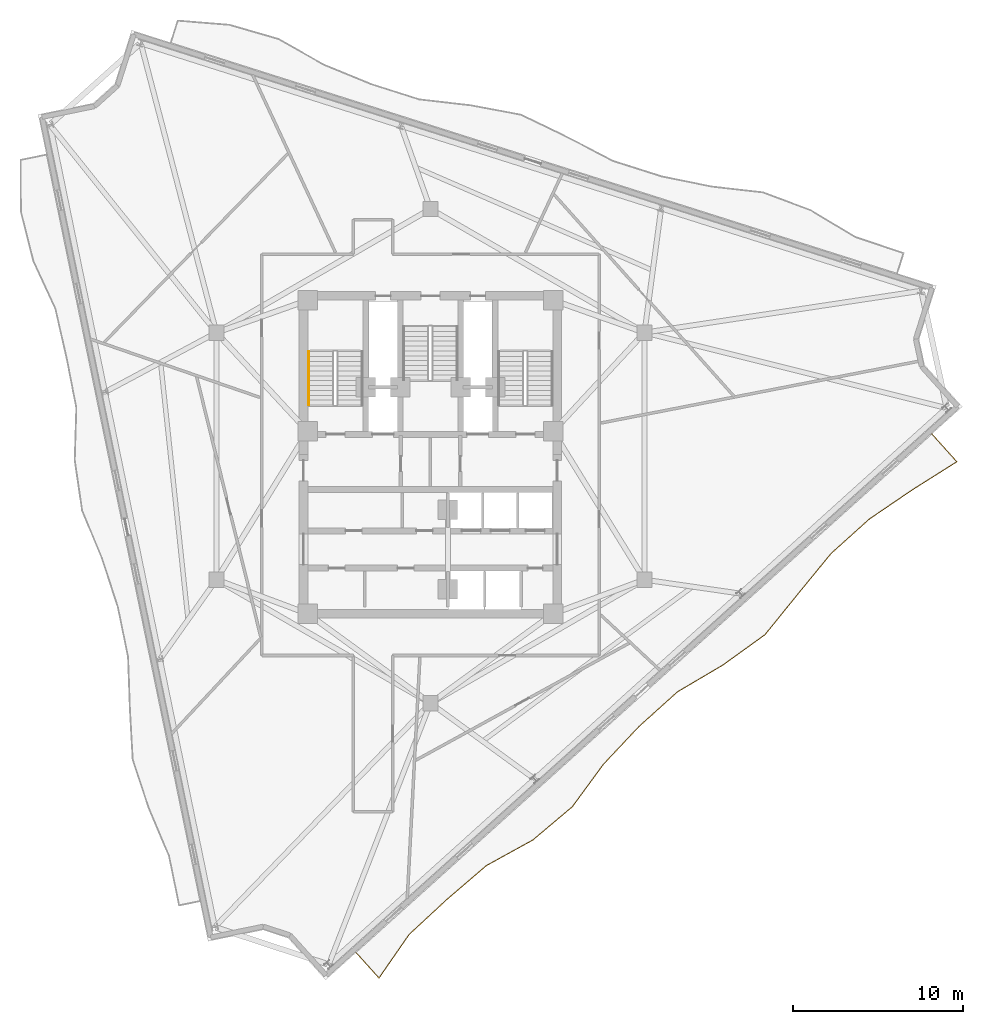
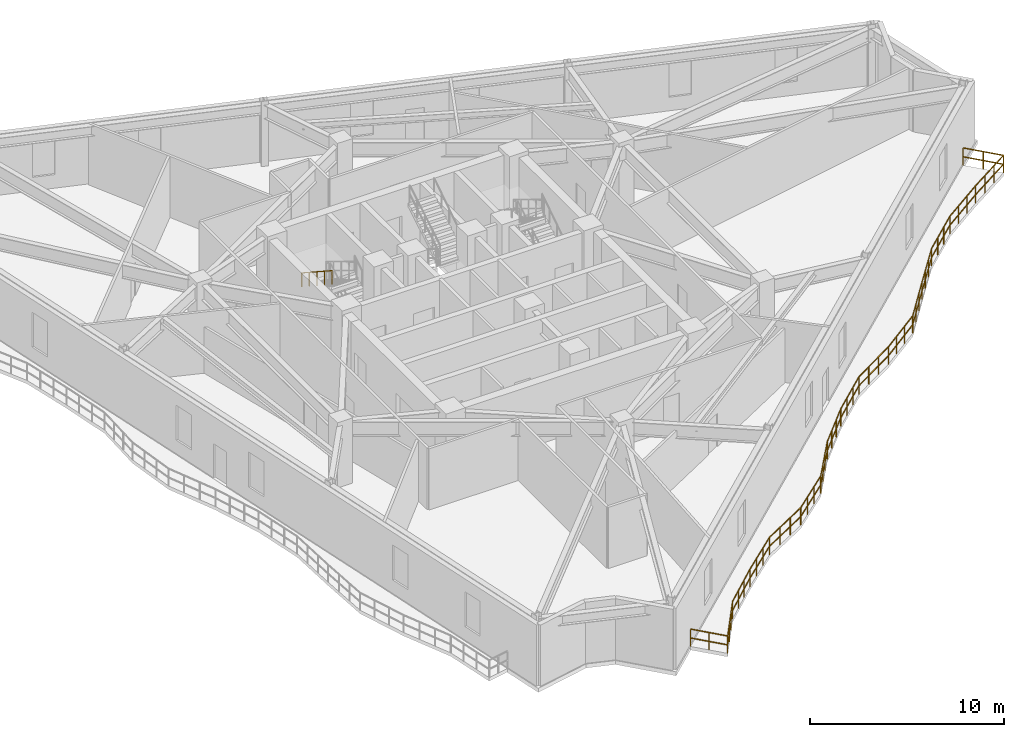
# One storey, part 10 of 12: 2 railings.
"""IFC4 building model written with IfcOpenShell, lengths in metres."""

from ifc_helpers import new_model, si_unit, direction, frame, origin, origin_2d, place, context, subcontext, project, spatial, rectangle, extrude, material, type_object, element, save


model = new_model("IFC4")

# Units and contexts
model_context = context("Model", 3, precision=1e-05, world=origin(), true_north=direction((0.0, 1.0)))
body_context = subcontext(model_context, "Body", "Model", "MODEL_VIEW")
ifc_project = project(units=[si_unit("LENGTHUNIT", "METRE"), si_unit("AREAUNIT", "SQUARE_METRE"), si_unit("VOLUMEUNIT", "CUBIC_METRE"), si_unit("PLANEANGLEUNIT", "RADIAN"), si_unit("MASSUNIT", "GRAM", prefix="KILO")], contexts=[model_context])

# Site, building, storey
site_placement = place(None, origin())
site = spatial("IfcSite", under=ifc_project, at=site_placement, CompositionType="ELEMENT")
building_placement = place(site_placement, origin())
building = spatial("IfcBuilding", under=site, at=building_placement, Name="Apsidion Concourse Tower", CompositionType="ELEMENT")
storey_placement = place(building_placement, frame((0.0, 0.0, 240.39990234375)))
storey = spatial("IfcBuildingStorey", under=building, at=storey_placement, Name="L56", CompositionType="ELEMENT", Elevation=240.39990234375)

# Railings
ifc_material = material(Name="Brushed stainless steel 316", Category="steel")
railing_type_1 = type_object("IfcRailingType", Name="RL-BAL-1120", PredefinedType="BALUSTRADE", material=ifc_material)
railing_1_placement = place(storey_placement, frame((29.43359375, 1.295166015625, 0.0)))
element("IfcRailing", 1, at=railing_1_placement, inside=storey, type_object=railing_type_1, Name="L56 Face 2 Rippling Balcony Balustrade", PredefinedType="BALUSTRADE", context=body_context, shape_type="SweptSolid", body=[
    extrude(rectangle(XDim=0.048095703125, YDim=0.048095703125, at=origin_2d()), frame((0.0, 0.0, 1.09619140625), z_axis=(0.669063430211, -0.743205305655, 0.0), x_axis=(0.743205305655, 0.669063430211, 0.0)), (0.0, 0.0, 1.0), 2.1865234375),
    extrude(rectangle(XDim=0.048095703125, YDim=0.048095703125, at=origin_2d()), frame((0.0, 0.0, 0.5361328125), z_axis=(0.669063430211, -0.743205305655, 0.0), x_axis=(0.743205305655, 0.669063430211, 0.0)), (0.0, 0.0, 1.0), 2.1865234375),
    extrude(rectangle(XDim=0.048095703125, YDim=0.048095703125, at=origin_2d()), frame((1.462890625, -1.625, 1.09619140625), z_axis=(-0.845999528169, -0.533183644102, 0.0), x_axis=(0.533183644102, -0.845999528169, 0.0)), (0.0, 0.0, 1.0), 3.07666015625),
    extrude(rectangle(XDim=0.048095703125, YDim=0.048095703125, at=origin_2d()), frame((1.462890625, -1.625, 0.5361328125), z_axis=(-0.845999528169, -0.533183644102, 0.0), x_axis=(0.533183644102, -0.845999528169, 0.0)), (0.0, 0.0, 1.0), 3.07666015625),
    extrude(rectangle(XDim=0.048095703125, YDim=0.048095703125, at=origin_2d()), frame((-1.139892578125, -3.265380859375, 1.09619140625), z_axis=(-0.826809251161, -0.562482410565, 0.0), x_axis=(0.562482410565, -0.826809251161, 0.0)), (0.0, 0.0, 1.0), 3.06005859375),
    extrude(rectangle(XDim=0.048095703125, YDim=0.048095703125, at=origin_2d()), frame((-1.139892578125, -3.265380859375, 0.5361328125), z_axis=(-0.826809251161, -0.562482410565, 0.0), x_axis=(0.562482410565, -0.826809251161, 0.0)), (0.0, 0.0, 1.0), 3.06005859375),
    extrude(rectangle(XDim=0.048095703125, YDim=0.048095703125, at=origin_2d()), frame((-3.669921875, -4.986572265625, 1.09619140625), z_axis=(-0.743174025693, -0.669098174811, 0.0), x_axis=(0.669098174811, -0.743174025693, 0.0)), (0.0, 0.0, 1.0), 3.0322265625),
    extrude(rectangle(XDim=0.048095703125, YDim=0.048095703125, at=origin_2d()), frame((-3.669921875, -4.986572265625, 0.5361328125), z_axis=(-0.743174025693, -0.669098174811, 0.0), x_axis=(0.669098174811, -0.743174025693, 0.0)), (0.0, 0.0, 1.0), 3.0322265625),
    extrude(rectangle(XDim=0.048095703125, YDim=0.048095703125, at=origin_2d()), frame((-5.92333984375, -7.015380859375, 1.09619140625), z_axis=(-0.633450162207, -0.773783491683, 0.0), x_axis=(0.773783491683, -0.633450162207, 0.0)), (0.0, 0.0, 1.0), 3.067138671875),
    extrude(rectangle(XDim=0.048095703125, YDim=0.048095703125, at=origin_2d()), frame((-5.92333984375, -7.015380859375, 0.5361328125), z_axis=(-0.633450162207, -0.773783491683, 0.0), x_axis=(0.773783491683, -0.633450162207, 0.0)), (0.0, 0.0, 1.0), 3.067138671875),
    extrude(rectangle(XDim=0.048095703125, YDim=0.048095703125, at=origin_2d()), frame((-7.8662109375, -9.388671875, 1.09619140625), z_axis=(-0.629049514697, -0.777365234661, 0.0), x_axis=(0.777365234661, -0.629049514697, 0.0)), (0.0, 0.0, 1.0), 3.070068359375),
    extrude(rectangle(XDim=0.048095703125, YDim=0.048095703125, at=origin_2d()), frame((-7.8662109375, -9.388671875, 0.5361328125), z_axis=(-0.629049514697, -0.777365234661, 0.0), x_axis=(0.777365234661, -0.629049514697, 0.0)), (0.0, 0.0, 1.0), 3.070068359375),
    extrude(rectangle(XDim=0.048095703125, YDim=0.048095703125, at=origin_2d()), frame((-9.79736328125, -11.775146484375, 1.09619140625), z_axis=(-0.811172846512, -0.584806474898, 0.0), x_axis=(0.584806474898, -0.811172846512, 0.0)), (0.0, 0.0, 1.0), 3.050048828125),
    extrude(rectangle(XDim=0.048095703125, YDim=0.048095703125, at=origin_2d()), frame((-9.79736328125, -11.775146484375, 0.5361328125), z_axis=(-0.811172846512, -0.584806474898, 0.0), x_axis=(0.584806474898, -0.811172846512, 0.0)), (0.0, 0.0, 1.0), 3.050048828125),
    extrude(rectangle(XDim=0.048095703125, YDim=0.048095703125, at=origin_2d()), frame((-12.271484375, -13.558837890625, 1.09619140625), z_axis=(-0.861312773279, -0.508075099356, 0.0), x_axis=(0.508075099356, -0.861312773279, 0.0)), (0.0, 0.0, 1.0), 3.093505859375),
    extrude(rectangle(XDim=0.048095703125, YDim=0.048095703125, at=origin_2d()), frame((-12.271484375, -13.558837890625, 0.5361328125), z_axis=(-0.861312773279, -0.508075099356, 0.0), x_axis=(0.508075099356, -0.861312773279, 0.0)), (0.0, 0.0, 1.0), 3.093505859375),
    extrude(rectangle(XDim=0.048095703125, YDim=0.048095703125, at=origin_2d()), frame((-14.93603515625, -15.130615234375, 1.09619140625), z_axis=(-0.743137975508, -0.669138213942, 0.0), x_axis=(0.669138213942, -0.743137975508, 0.0)), (0.0, 0.0, 1.0), 3.031982421875),
    extrude(rectangle(XDim=0.048095703125, YDim=0.048095703125, at=origin_2d()), frame((-14.93603515625, -15.130615234375, 0.5361328125), z_axis=(-0.743137975508, -0.669138213942, 0.0), x_axis=(0.669138213942, -0.743137975508, 0.0)), (0.0, 0.0, 1.0), 3.031982421875),
    extrude(rectangle(XDim=0.048095703125, YDim=0.048095703125, at=origin_2d()), frame((-17.189208984375, -17.159423828125, 1.09619140625), z_axis=(-0.685397239209, -0.728169365248, 0.0), x_axis=(0.728169365248, -0.685397239209, 0.0)), (0.0, 0.0, 1.0), 3.042236328125),
    extrude(rectangle(XDim=0.048095703125, YDim=0.048095703125, at=origin_2d()), frame((-17.189208984375, -17.159423828125, 0.5361328125), z_axis=(-0.685397239209, -0.728169365248, 0.0), x_axis=(0.728169365248, -0.685397239209, 0.0)), (0.0, 0.0, 1.0), 3.042236328125),
    extrude(rectangle(XDim=0.048095703125, YDim=0.048095703125, at=origin_2d()), frame((-19.2744140625, -19.374755859375, 1.09619140625), z_axis=(-0.590830478138, -0.806795727618, 0.0), x_axis=(0.806795727618, -0.590830478138, 0.0)), (0.0, 0.0, 1.0), 3.097412109375),
    extrude(rectangle(XDim=0.048095703125, YDim=0.048095703125, at=origin_2d()), frame((-19.2744140625, -19.374755859375, 0.5361328125), z_axis=(-0.590830478138, -0.806795727618, 0.0), x_axis=(0.806795727618, -0.590830478138, 0.0)), (0.0, 0.0, 1.0), 3.097412109375),
    extrude(rectangle(XDim=0.048095703125, YDim=0.048095703125, at=origin_2d()), frame((-21.1044921875, -21.873779296875, 1.09619140625), z_axis=(-0.765105249951, -0.643905238756, 0.0), x_axis=(0.643905238756, -0.765105249951, 0.0)), (0.0, 0.0, 1.0), 3.03369140625),
    extrude(rectangle(XDim=0.048095703125, YDim=0.048095703125, at=origin_2d()), frame((-21.1044921875, -21.873779296875, 0.5361328125), z_axis=(-0.765105249951, -0.643905238756, 0.0), x_axis=(0.643905238756, -0.765105249951, 0.0)), (0.0, 0.0, 1.0), 3.03369140625),
    extrude(rectangle(XDim=0.048095703125, YDim=0.048095703125, at=origin_2d()), frame((-23.425537109375, -23.8271484375, 1.09619140625), z_axis=(-0.875868016644, -0.482550740772, 0.0), x_axis=(0.482550740772, -0.875868016644, 0.0)), (0.0, 0.0, 1.0), 3.113525390625),
    extrude(rectangle(XDim=0.048095703125, YDim=0.048095703125, at=origin_2d()), frame((-23.425537109375, -23.8271484375, 0.5361328125), z_axis=(-0.875868016644, -0.482550740772, 0.0), x_axis=(0.482550740772, -0.875868016644, 0.0)), (0.0, 0.0, 1.0), 3.113525390625),
    extrude(rectangle(XDim=0.048095703125, YDim=0.048095703125, at=origin_2d()), frame((-26.152587890625, -25.32958984375, 1.09619140625), z_axis=(-0.759239555864, -0.650811260513, 0.0), x_axis=(0.650811260513, -0.759239555864, 0.0)), (0.0, 0.0, 1.0), 3.032958984375),
    extrude(rectangle(XDim=0.048095703125, YDim=0.048095703125, at=origin_2d()), frame((-26.152587890625, -25.32958984375, 0.5361328125), z_axis=(-0.759239555864, -0.650811260513, 0.0), x_axis=(0.650811260513, -0.759239555864, 0.0)), (0.0, 0.0, 1.0), 3.032958984375),
    extrude(rectangle(XDim=0.048095703125, YDim=0.048095703125, at=origin_2d()), frame((-28.455322265625, -27.303466796875, 1.09619140625), z_axis=(-0.733409736013, -0.679786848299, 0.0), x_axis=(0.679786848299, -0.733409736013, 0.0)), (0.0, 0.0, 1.0), 3.0322265625),
    extrude(rectangle(XDim=0.048095703125, YDim=0.048095703125, at=origin_2d()), frame((-28.455322265625, -27.303466796875, 0.5361328125), z_axis=(-0.733409736013, -0.679786848299, 0.0), x_axis=(0.679786848299, -0.733409736013, 0.0)), (0.0, 0.0, 1.0), 3.0322265625),
    extrude(rectangle(XDim=0.048095703125, YDim=0.048095703125, at=origin_2d()), frame((-30.67919921875, -29.36474609375, 1.09619140625), z_axis=(-0.569548148861, -0.821957971024, 0.0), x_axis=(0.821957971024, -0.569548148861, 0.0)), (0.0, 0.0, 1.0), 3.115478515625),
    extrude(rectangle(XDim=0.048095703125, YDim=0.048095703125, at=origin_2d()), frame((-30.67919921875, -29.36474609375, 0.5361328125), z_axis=(-0.569548148861, -0.821957971024, 0.0), x_axis=(0.821957971024, -0.569548148861, 0.0)), (0.0, 0.0, 1.0), 3.115478515625),
    extrude(rectangle(XDim=0.048095703125, YDim=0.048095703125, at=origin_2d()), frame((-32.45361328125, -31.925537109375, 1.09619140625), z_axis=(-0.669078836066, 0.743191436393, 0.0), x_axis=(-0.743191436393, -0.669078836066, 0.0)), (0.0, 0.0, 1.0), 2.009521484375),
    extrude(rectangle(XDim=0.048095703125, YDim=0.048095703125, at=origin_2d()), frame((-32.45361328125, -31.925537109375, 0.5361328125), z_axis=(-0.669078836066, 0.743191436393, 0.0), x_axis=(-0.743191436393, -0.669078836066, 0.0)), (0.0, 0.0, 1.0), 2.009521484375),
    extrude(rectangle(XDim=0.0419921875, YDim=0.0419921875, at=origin_2d()), origin(), (0.0, 0.0, 1.0), 1.072021484375),
    extrude(rectangle(XDim=0.0419921875, YDim=0.0419921875, at=origin_2d()), frame((0.7314453125, -0.8125, 0.0)), (0.0, 0.0, 1.0), 1.072021484375),
    extrude(rectangle(XDim=0.0419921875, YDim=0.0419921875, at=origin_2d()), frame((1.462890625, -1.625, 0.0)), (0.0, 0.0, 1.0), 1.072021484375),
    extrude(rectangle(XDim=0.0419921875, YDim=0.0419921875, at=origin_2d()), frame((0.59521484375, -2.171875, 0.0)), (0.0, 0.0, 1.0), 1.072021484375),
    extrude(rectangle(XDim=0.0419921875, YDim=0.0419921875, at=origin_2d()), frame((-0.272216796875, -2.718505859375, 0.0)), (0.0, 0.0, 1.0), 1.072021484375),
    extrude(rectangle(XDim=0.0419921875, YDim=0.0419921875, at=origin_2d()), frame((-1.139892578125, -3.265380859375, 0.0)), (0.0, 0.0, 1.0), 1.072021484375),
    extrude(rectangle(XDim=0.0419921875, YDim=0.0419921875, at=origin_2d()), frame((-1.983154296875, -3.839111328125, 0.0)), (0.0, 0.0, 1.0), 1.072021484375),
    extrude(rectangle(XDim=0.0419921875, YDim=0.0419921875, at=origin_2d()), frame((-2.82666015625, -4.412841796875, 0.0)), (0.0, 0.0, 1.0), 1.072021484375),
    extrude(rectangle(XDim=0.0419921875, YDim=0.0419921875, at=origin_2d()), frame((-3.669921875, -4.986572265625, 0.0)), (0.0, 0.0, 1.0), 1.072021484375),
    extrude(rectangle(XDim=0.0419921875, YDim=0.0419921875, at=origin_2d()), frame((-4.421142578125, -5.662841796875, 0.0)), (0.0, 0.0, 1.0), 1.072021484375),
    extrude(rectangle(XDim=0.0419921875, YDim=0.0419921875, at=origin_2d()), frame((-5.172119140625, -6.339111328125, 0.0)), (0.0, 0.0, 1.0), 1.072021484375),
    extrude(rectangle(XDim=0.0419921875, YDim=0.0419921875, at=origin_2d()), frame((-5.92333984375, -7.015380859375, 0.0)), (0.0, 0.0, 1.0), 1.072021484375),
    extrude(rectangle(XDim=0.0419921875, YDim=0.0419921875, at=origin_2d()), frame((-6.571044921875, -7.806396484375, 0.0)), (0.0, 0.0, 1.0), 1.072021484375),
    extrude(rectangle(XDim=0.0419921875, YDim=0.0419921875, at=origin_2d()), frame((-7.218505859375, -8.59765625, 0.0)), (0.0, 0.0, 1.0), 1.072021484375),
    extrude(rectangle(XDim=0.0419921875, YDim=0.0419921875, at=origin_2d()), frame((-7.8662109375, -9.388671875, 0.0)), (0.0, 0.0, 1.0), 1.072021484375),
    extrude(rectangle(XDim=0.0419921875, YDim=0.0419921875, at=origin_2d()), frame((-8.510009765625, -10.18408203125, 0.0)), (0.0, 0.0, 1.0), 1.072021484375),
    extrude(rectangle(XDim=0.0419921875, YDim=0.0419921875, at=origin_2d()), frame((-9.153564453125, -10.979736328125, 0.0)), (0.0, 0.0, 1.0), 1.072021484375),
    extrude(rectangle(XDim=0.0419921875, YDim=0.0419921875, at=origin_2d()), frame((-9.79736328125, -11.775146484375, 0.0)), (0.0, 0.0, 1.0), 1.072021484375),
    extrude(rectangle(XDim=0.0419921875, YDim=0.0419921875, at=origin_2d()), frame((-10.6220703125, -12.36962890625, 0.0)), (0.0, 0.0, 1.0), 1.072021484375),
    extrude(rectangle(XDim=0.0419921875, YDim=0.0419921875, at=origin_2d()), frame((-11.44677734375, -12.96435546875, 0.0)), (0.0, 0.0, 1.0), 1.072021484375),
    extrude(rectangle(XDim=0.0419921875, YDim=0.0419921875, at=origin_2d()), frame((-12.271484375, -13.558837890625, 0.0)), (0.0, 0.0, 1.0), 1.072021484375),
    extrude(rectangle(XDim=0.0419921875, YDim=0.0419921875, at=origin_2d()), frame((-13.15966796875, -14.082763671875, 0.0)), (0.0, 0.0, 1.0), 1.072021484375),
    extrude(rectangle(XDim=0.0419921875, YDim=0.0419921875, at=origin_2d()), frame((-14.0478515625, -14.606689453125, 0.0)), (0.0, 0.0, 1.0), 1.072021484375),
    extrude(rectangle(XDim=0.0419921875, YDim=0.0419921875, at=origin_2d()), frame((-14.93603515625, -15.130615234375, 0.0)), (0.0, 0.0, 1.0), 1.072021484375),
    extrude(rectangle(XDim=0.0419921875, YDim=0.0419921875, at=origin_2d()), frame((-15.68701171875, -15.806884765625, 0.0)), (0.0, 0.0, 1.0), 1.072021484375),
    extrude(rectangle(XDim=0.0419921875, YDim=0.0419921875, at=origin_2d()), frame((-16.438232421875, -16.483154296875, 0.0)), (0.0, 0.0, 1.0), 1.072021484375),
    extrude(rectangle(XDim=0.0419921875, YDim=0.0419921875, at=origin_2d()), frame((-17.189208984375, -17.159423828125, 0.0)), (0.0, 0.0, 1.0), 1.072021484375),
    extrude(rectangle(XDim=0.0419921875, YDim=0.0419921875, at=origin_2d()), frame((-17.88427734375, -17.89794921875, 0.0)), (0.0, 0.0, 1.0), 1.072021484375),
    extrude(rectangle(XDim=0.0419921875, YDim=0.0419921875, at=origin_2d()), frame((-18.579345703125, -18.63623046875, 0.0)), (0.0, 0.0, 1.0), 1.072021484375),
    extrude(rectangle(XDim=0.0419921875, YDim=0.0419921875, at=origin_2d()), frame((-19.2744140625, -19.374755859375, 0.0)), (0.0, 0.0, 1.0), 1.072021484375),
    extrude(rectangle(XDim=0.0419921875, YDim=0.0419921875, at=origin_2d()), frame((-19.884521484375, -20.207763671875, 0.0)), (0.0, 0.0, 1.0), 1.072021484375),
    extrude(rectangle(XDim=0.0419921875, YDim=0.0419921875, at=origin_2d()), frame((-20.494384765625, -21.040771484375, 0.0)), (0.0, 0.0, 1.0), 1.072021484375),
    extrude(rectangle(XDim=0.0419921875, YDim=0.0419921875, at=origin_2d()), frame((-21.1044921875, -21.873779296875, 0.0)), (0.0, 0.0, 1.0), 1.072021484375),
    extrude(rectangle(XDim=0.0419921875, YDim=0.0419921875, at=origin_2d()), frame((-21.878173828125, -22.52490234375, 0.0)), (0.0, 0.0, 1.0), 1.072021484375),
    extrude(rectangle(XDim=0.0419921875, YDim=0.0419921875, at=origin_2d()), frame((-22.65185546875, -23.176025390625, 0.0)), (0.0, 0.0, 1.0), 1.072021484375),
    extrude(rectangle(XDim=0.0419921875, YDim=0.0419921875, at=origin_2d()), frame((-23.425537109375, -23.8271484375, 0.0)), (0.0, 0.0, 1.0), 1.072021484375),
    extrude(rectangle(XDim=0.0419921875, YDim=0.0419921875, at=origin_2d()), frame((-24.33447265625, -24.327880859375, 0.0)), (0.0, 0.0, 1.0), 1.072021484375),
    extrude(rectangle(XDim=0.0419921875, YDim=0.0419921875, at=origin_2d()), frame((-25.24365234375, -24.828857421875, 0.0)), (0.0, 0.0, 1.0), 1.072021484375),
    extrude(rectangle(XDim=0.0419921875, YDim=0.0419921875, at=origin_2d()), frame((-26.152587890625, -25.32958984375, 0.0)), (0.0, 0.0, 1.0), 1.072021484375),
    extrude(rectangle(XDim=0.0419921875, YDim=0.0419921875, at=origin_2d()), frame((-26.920166015625, -25.987548828125, 0.0)), (0.0, 0.0, 1.0), 1.072021484375),
    extrude(rectangle(XDim=0.0419921875, YDim=0.0419921875, at=origin_2d()), frame((-27.687744140625, -26.6455078125, 0.0)), (0.0, 0.0, 1.0), 1.072021484375),
    extrude(rectangle(XDim=0.0419921875, YDim=0.0419921875, at=origin_2d()), frame((-28.455322265625, -27.303466796875, 0.0)), (0.0, 0.0, 1.0), 1.072021484375),
    extrude(rectangle(XDim=0.0419921875, YDim=0.0419921875, at=origin_2d()), frame((-29.196533203125, -27.990478515625, 0.0)), (0.0, 0.0, 1.0), 1.072021484375),
    extrude(rectangle(XDim=0.0419921875, YDim=0.0419921875, at=origin_2d()), frame((-29.93798828125, -28.677734375, 0.0)), (0.0, 0.0, 1.0), 1.072021484375),
    extrude(rectangle(XDim=0.0419921875, YDim=0.0419921875, at=origin_2d()), frame((-30.67919921875, -29.36474609375, 0.0)), (0.0, 0.0, 1.0), 1.072021484375),
    extrude(rectangle(XDim=0.0419921875, YDim=0.0419921875, at=origin_2d()), frame((-31.270751953125, -30.21826171875, 0.0)), (0.0, 0.0, 1.0), 1.072021484375),
    extrude(rectangle(XDim=0.0419921875, YDim=0.0419921875, at=origin_2d()), frame((-31.862060546875, -31.072021484375, 0.0)), (0.0, 0.0, 1.0), 1.072021484375),
    extrude(rectangle(XDim=0.0419921875, YDim=0.0419921875, at=origin_2d()), frame((-32.45361328125, -31.925537109375, 0.0)), (0.0, 0.0, 1.0), 1.072021484375),
    extrude(rectangle(XDim=0.0419921875, YDim=0.0419921875, at=origin_2d()), frame((-33.1259765625, -31.1787109375, 0.0)), (0.0, 0.0, 1.0), 1.072021484375),
    extrude(rectangle(XDim=0.0419921875, YDim=0.0419921875, at=origin_2d()), frame((-33.798095703125, -30.43212890625, 0.0)), (0.0, 0.0, 1.0), 1.072021484375),
])
railing_type_2 = type_object("IfcRailingType", Name="RL-HAND-900", PredefinedType="HANDRAIL", material=ifc_material)
railing_2_placement = place(storey_placement, frame((-7.14990234375, 6.135009765625, 2.220947265625)))
element("IfcRailing", 2, at=railing_2_placement, inside=storey, type_object=railing_type_2, Name="L56 ST1 stair handrail 2", PredefinedType="HANDRAIL", context=body_context, shape_type="SweptSolid", body=[
    extrude(rectangle(XDim=0.048095703125, YDim=0.048095703125, at=origin_2d()), frame((0.0, 0.0, 0.8759765625), z_axis=(0.0, -0.836940907821, 0.547293263996), x_axis=(1.0, 0.0, 0.0)), (0.0, 0.0, 1.0), 3.745849609375),
    extrude(rectangle(XDim=0.0419921875, YDim=0.0419921875, at=origin_2d()), origin(), (0.0, 0.0, 1.0), 0.851806640625),
    extrude(rectangle(XDim=0.0419921875, YDim=0.0419921875, at=origin_2d()), frame((0.0, -0.78369140625, 0.512451171875)), (0.0, 0.0, 1.0), 0.851806640625),
    extrude(rectangle(XDim=0.0419921875, YDim=0.0419921875, at=origin_2d()), frame((0.0, -1.5673828125, 1.02490234375)), (0.0, 0.0, 1.0), 0.851806640625),
    extrude(rectangle(XDim=0.0419921875, YDim=0.0419921875, at=origin_2d()), frame((0.0, -2.351318359375, 1.53759765625)), (0.0, 0.0, 1.0), 0.851806640625),
    extrude(rectangle(XDim=0.0419921875, YDim=0.0419921875, at=origin_2d()), frame((0.0, -3.135009765625, 2.050048828125)), (0.0, 0.0, 1.0), 0.851806640625),
])

save(model, "model.ifc")
